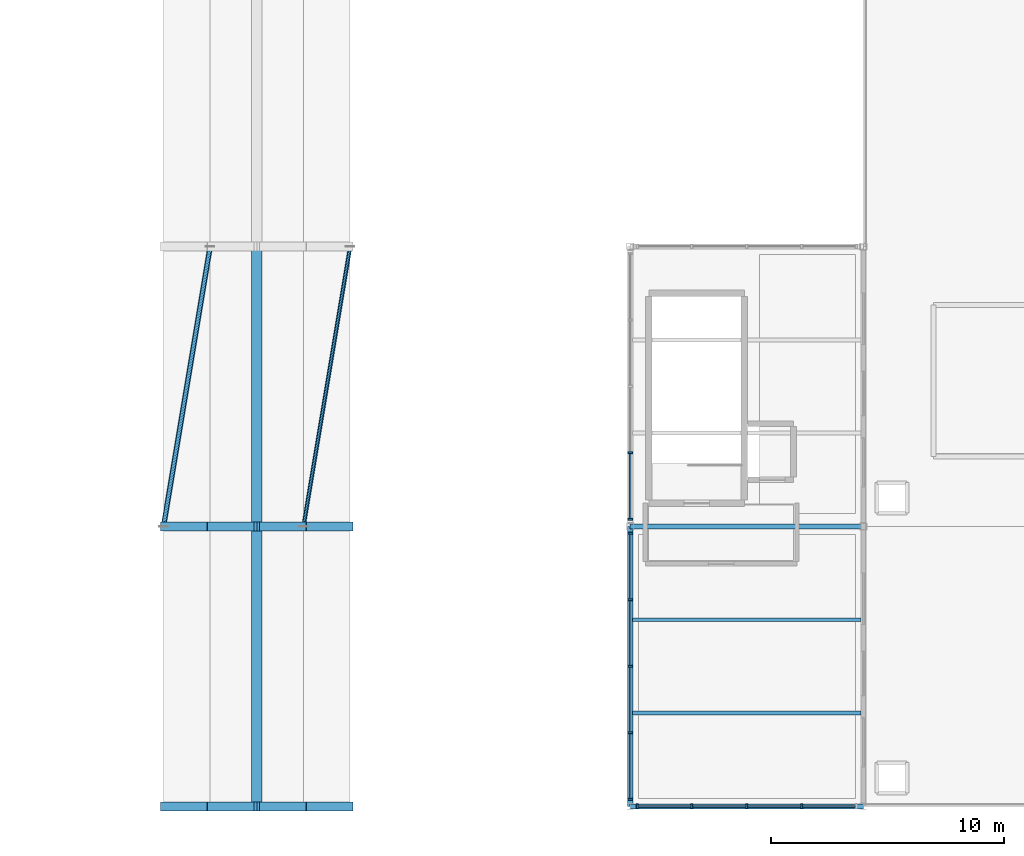
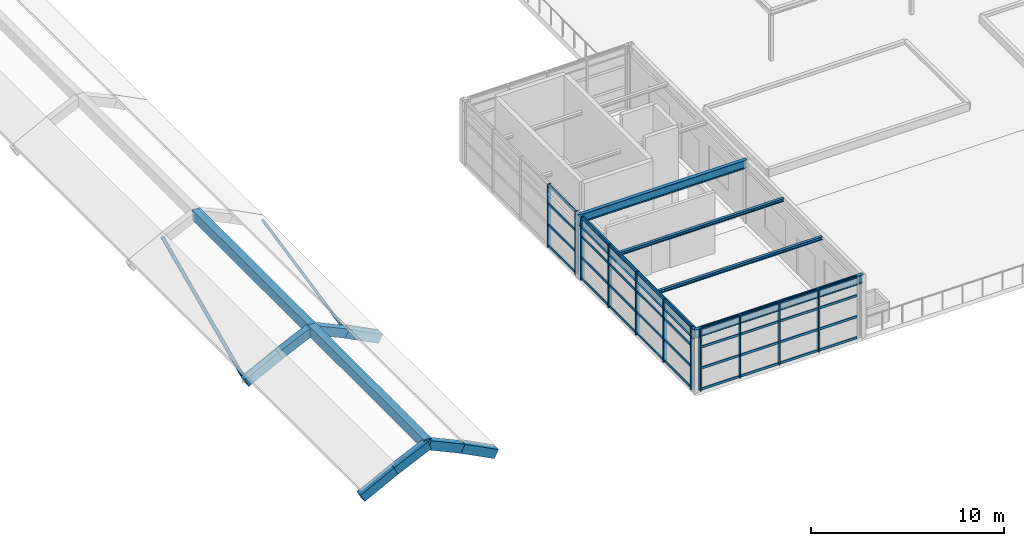
# One storey, part 14 of 49: 49 members, 15 beams, 3 elements without a shape of their own.
"""IFC4 building model written with IfcOpenShell, lengths in metres."""

from ifc_helpers import new_model, si_unit, direction, frame, origin, origin_2d, place, context, subcontext, project, spatial, rectangle, hollow_circle, i_section, extrude, material, layer, layer_set, material_profile, profile_set, type_object, element, aggregate, save


model = new_model("IFC4")

# Units and contexts
model_context = context("Model", 3, precision=1e-05, world=origin(), true_north=direction((0.0, 1.0)))
body_context = subcontext(model_context, "Body", "Model", "MODEL_VIEW")
ifc_project = project(units=[si_unit("LENGTHUNIT", "METRE"), si_unit("AREAUNIT", "SQUARE_METRE"), si_unit("VOLUMEUNIT", "CUBIC_METRE"), si_unit("PLANEANGLEUNIT", "RADIAN"), si_unit("MASSUNIT", "GRAM", prefix="KILO")], contexts=[model_context])

# Site, building, storey
site_placement = place(None, origin())
site = spatial("IfcSite", under=ifc_project, at=site_placement, CompositionType="ELEMENT")
building_placement = place(site_placement, origin())
building = spatial("IfcBuilding", under=site, at=building_placement, Name="Sitalva Quay Ferry Terminal", CompositionType="ELEMENT")
storey_placement = place(building_placement, frame((0.0, 0.0, 10.199951171875)))
storey = spatial("IfcBuildingStorey", under=building, at=storey_placement, Name="L03", CompositionType="ELEMENT", Elevation=10.199951171875)

# Beams
ifc_material_1 = material(Name="Concrete C40/50", Category="concrete")
ifc_material_profile_1 = material_profile(ifc_material_1, rectangle(XDim=0.39990234375, YDim=0.550048828125, at=origin_2d()), Name="RC400x550")
ifc_profile_set_1 = profile_set([ifc_material_profile_1], Name="Concrete C40/50")
beam_type_1 = type_object("IfcBeamType", Name="Beam_Arch_RC400x550", PredefinedType="BEAM", material=ifc_profile_set_1)
beam_1_placement = place(storey_placement, frame((54.0, 6.0, 0.395263671875), z_axis=(0.88942149916, 0.0, 0.457087953059), x_axis=(0.0, 1.0, 0.0)))
element("IfcBeam", 1, at=beam_1_placement, inside=storey, type_object=beam_type_1, Name="Vault V1 transverse arch rib 1.7", PredefinedType="BEAM", context=body_context, shape_type="SweptSolid", body=[
    extrude(rectangle(XDim=0.39990234375, YDim=0.550048828125, at=origin_2d()), origin(), (0.0, 0.0, 1.0), 2.24853515625),
])
for number, where, z_axis, x_axis, name in (
    (2, (56.0, 6.0, 1.4267578125), (0.908124785196, 0.0, 0.418699623253), (0.0, 1.0, 0.0), "Vault V1 transverse arch rib 1.8"),
    (3, (58.0, 6.0, 2.348876953125), (0.908124785196, 0.0, -0.418699623253), (0.0, 1.0, 0.0), "Vault V1 transverse arch rib 1.9"),
):
    element("IfcBeam", number, at=place(storey_placement, frame(where, z_axis=z_axis, x_axis=x_axis)), inside=storey, type_object=beam_type_1, Name=name, PredefinedType="BEAM", context=body_context, shape_type="SweptSolid", body=[
        extrude(rectangle(XDim=0.39990234375, YDim=0.550048828125, at=origin_2d()), origin(), (0.0, 0.0, 1.0), 2.202392578125),
    ])
for number, where, z_axis, x_axis, name in (
    (4, (60.0, 6.0, 1.423095703125), (0.88942149916, 0.0, -0.457087953059), (0.0, 1.0, 0.0), "Vault V1 transverse arch rib 1.10"),
    (5, (54.0, 18.0, 0.395263671875), (0.88942149916, 0.0, 0.457087953059), (0.0, 1.0, 0.0), "Vault V1 transverse arch rib 2.7"),
):
    element("IfcBeam", number, at=place(storey_placement, frame(where, z_axis=z_axis, x_axis=x_axis)), inside=storey, type_object=beam_type_1, Name=name, PredefinedType="BEAM", context=body_context, shape_type="SweptSolid", body=[
        extrude(rectangle(XDim=0.39990234375, YDim=0.550048828125, at=origin_2d()), origin(), (0.0, 0.0, 1.0), 2.24853515625),
    ])
for number, where, z_axis, x_axis, name in (
    (6, (56.0, 18.0, 1.4267578125), (0.908124785196, 0.0, 0.418699623253), (0.0, 1.0, 0.0), "Vault V1 transverse arch rib 2.8"),
    (7, (58.0, 18.0, 2.348876953125), (0.908124785196, 0.0, -0.418699623253), (0.0, 1.0, 0.0), "Vault V1 transverse arch rib 2.9"),
):
    element("IfcBeam", number, at=place(storey_placement, frame(where, z_axis=z_axis, x_axis=x_axis)), inside=storey, type_object=beam_type_1, Name=name, PredefinedType="BEAM", context=body_context, shape_type="SweptSolid", body=[
        extrude(rectangle(XDim=0.39990234375, YDim=0.550048828125, at=origin_2d()), origin(), (0.0, 0.0, 1.0), 2.202392578125),
    ])
beam_2_placement = place(storey_placement, frame((60.0, 18.0, 1.423095703125), z_axis=(0.88942149916, 0.0, -0.457087953059), x_axis=(0.0, 1.0, 0.0)))
element("IfcBeam", 8, at=beam_2_placement, inside=storey, type_object=beam_type_1, Name="Vault V1 transverse arch rib 2.10", PredefinedType="BEAM", context=body_context, shape_type="SweptSolid", body=[
    extrude(rectangle(XDim=0.39990234375, YDim=0.550048828125, at=origin_2d()), origin(), (0.0, 0.0, 1.0), 2.24853515625),
])
ifc_material_2 = material(Name="Concrete C40/50", Category="concrete")
ifc_material_profile_2 = material_profile(ifc_material_2, rectangle(XDim=0.449951171875, YDim=0.64990234375, at=origin_2d()), Name="RC450x650")
ifc_profile_set_2 = profile_set([ifc_material_profile_2], Name="Concrete C40/50")
beam_type_2 = type_object("IfcBeamType", Name="Beam_Ridge_RC450x650", PredefinedType="BEAM", material=ifc_profile_set_2)
for number, where, z_axis, x_axis, name in (
    (9, (58.0, 6.0, 2.31494140625), (0.0, 1.0, 0.0), (-1.0, 0.0, 0.0), "Vault V1 pointed ridge beam bay 1"),
    (10, (58.0, 18.0, 2.31494140625), (0.0, 1.0, 0.0), (-1.0, 0.0, 0.0), "Vault V1 pointed ridge beam bay 2"),
):
    element("IfcBeam", number, at=place(storey_placement, frame(where, z_axis=z_axis, x_axis=x_axis)), inside=storey, type_object=beam_type_2, Name=name, PredefinedType="BEAM", context=body_context, shape_type="SweptSolid", body=[
        extrude(rectangle(XDim=0.449951171875, YDim=0.64990234375, at=origin_2d()), origin(), (0.0, 0.0, 1.0), 12.0),
    ])

# Members
ifc_material_3 = material(Name="Structural Steel S355JR", Category="steel")
ifc_material_profile_3 = material_profile(ifc_material_3, hollow_circle(Radius=0.084228515625, WallThickness=0.008056640625, at=origin_2d()), Name="CHS168x8")
ifc_profile_set_3 = profile_set([ifc_material_profile_3], Name="Structural Steel S355JR")
member_type_1 = type_object("IfcMemberType", Name="Brace_CHS168x8", PredefinedType="BRACE", material=ifc_profile_set_3)
member_1_placement = place(storey_placement, frame((60.0, 18.0, 1.528076171875), z_axis=(0.16381508598, 0.982890515882, -0.084207193245), x_axis=(-0.986393923832, 0.164398987305, 0.0)))
element("IfcMember", 11, at=member_1_placement, inside=storey, type_object=member_type_1, Name="Vault V1 shell wind brace B2.9", PredefinedType="BRACE", context=body_context, shape_type="SweptSolid", body=[
    extrude(hollow_circle(Radius=0.084228515625, WallThickness=0.008056640625, at=origin_2d()), origin(), (0.0, 0.0, 1.0), 12.208984375),
])
ifc_material_4 = material(Name="Structural Steel S355JR", Category="steel")
ifc_material_profile_4 = material_profile(ifc_material_4, hollow_circle(Radius=0.109619140625, WallThickness=0.010009765625, at=origin_2d()), Name="CHS219x10")
ifc_profile_set_4 = profile_set([ifc_material_profile_4], Name="Structural Steel S355JR")
member_type_2 = type_object("IfcMemberType", Name="Brace_CHS219x10", PredefinedType="BRACE", material=ifc_profile_set_4)
member_2_placement = place(storey_placement, frame((54.0, 18.0, 0.5), z_axis=(0.16381508598, 0.982890515882, 0.084207193245), x_axis=(-0.986393923832, 0.164398987305, 0.0)))
element("IfcMember", 12, at=member_2_placement, inside=storey, type_object=member_type_2, Name="Vault V1 shell wind brace B2.6", PredefinedType="BRACE", context=body_context, shape_type="SweptSolid", body=[
    extrude(hollow_circle(Radius=0.109619140625, WallThickness=0.010009765625, at=origin_2d()), origin(), (0.0, 0.0, 1.0), 12.208984375),
])

# Beams
ifc_material_5 = material(Name="Structural Steel S355JR", Category="steel")
ifc_material_profile_5 = material_profile(ifc_material_5, i_section(OverallWidth=0.208984375, OverallDepth=0.532958984375, WebThickness=0.01025390625, FlangeThickness=0.015625, FilletRadius=0.014892578125, at=origin_2d()), Name="W530x92")
ifc_profile_set_5 = profile_set([ifc_material_profile_5], Name="Structural Steel S355JR")
beam_type_3 = type_object("IfcBeamType", Name="Girder_W530x92", PredefinedType="USERDEFINED", material=ifc_profile_set_5)
for number, where, z_axis, x_axis, name in (
    (13, (74.0, 6.0, 3.713623046875), (1.0, 0.0, 0.0), (0.0, 1.0, 0.0), "L03 Primary X girder 1185"),
    (14, (74.0, 18.0, 3.713623046875), (1.0, 0.0, 0.0), (0.0, 1.0, 0.0), "L03 Primary X girder 1186"),
):
    element("IfcBeam", number, at=place(storey_placement, frame(where, z_axis=z_axis, x_axis=x_axis)), inside=storey, type_object=beam_type_3, Name=name, ObjectType="GIRDER", PredefinedType="USERDEFINED", context=body_context, shape_type="SweptSolid", body=[
        extrude(i_section(OverallWidth=0.208984375, OverallDepth=0.532958984375, WebThickness=0.01025390625, FlangeThickness=0.015625, FilletRadius=0.014892578125, at=origin_2d()), origin(), (0.0, 0.0, 1.0), 10.0),
    ])
ifc_material_6 = material(Name="Structural Steel S355JR", Category="steel")
ifc_material_profile_6 = material_profile(ifc_material_6, i_section(OverallWidth=0.22802734375, OverallDepth=0.60791015625, WebThickness=0.01123046875, FlangeThickness=0.017333984375, FilletRadius=0.01611328125, at=origin_2d()), Name="W610x113")
ifc_profile_set_6 = profile_set([ifc_material_profile_6], Name="Structural Steel S355JR")
beam_type_4 = type_object("IfcBeamType", Name="Girder_W610x113", PredefinedType="USERDEFINED", material=ifc_profile_set_6)
beam_3_placement = place(storey_placement, frame((74.0, 6.0, 3.676025390625), z_axis=(0.0, 1.0, 0.0), x_axis=(-1.0, 0.0, 0.0)))
element("IfcBeam", 15, at=beam_3_placement, inside=storey, type_object=beam_type_4, Name="L03 Primary Y girder 1188", ObjectType="GIRDER", PredefinedType="USERDEFINED", context=body_context, shape_type="SweptSolid", body=[
    extrude(i_section(OverallWidth=0.22802734375, OverallDepth=0.60791015625, WebThickness=0.01123046875, FlangeThickness=0.017333984375, FilletRadius=0.01611328125, at=origin_2d()), origin(), (0.0, 0.0, 1.0), 12.0),
])
ifc_material_7 = material(Name="Structural Steel S355JR", Category="steel")
ifc_material_profile_7 = material_profile(ifc_material_7, i_section(OverallWidth=0.1650390625, OverallDepth=0.200927734375, WebThickness=0.006103515625, FlangeThickness=0.01025390625, FilletRadius=0.010009765625, at=origin_2d()), Name="W200x36")
ifc_profile_set_7 = profile_set([ifc_material_profile_7], Name="Structural Steel S355JR")
beam_type_5 = type_object("IfcBeamType", Name="Joist_W200x36", PredefinedType="JOIST", material=ifc_profile_set_7)
for number, where, z_axis, x_axis, name in (
    (16, (74.10009765625, 10.0, 3.879638671875), (1.0, 0.0, 0.0), (0.0, 1.0, 0.0), "L03 Secondary joist 1192"),
    (17, (74.10009765625, 14.0, 3.879638671875), (1.0, 0.0, 0.0), (0.0, 1.0, 0.0), "L03 Secondary joist 1193"),
):
    element("IfcBeam", number, at=place(storey_placement, frame(where, z_axis=z_axis, x_axis=x_axis)), inside=storey, type_object=beam_type_5, Name=name, PredefinedType="JOIST", context=body_context, shape_type="SweptSolid", body=[
        extrude(i_section(OverallWidth=0.1650390625, OverallDepth=0.200927734375, WebThickness=0.006103515625, FlangeThickness=0.01025390625, FilletRadius=0.010009765625, at=origin_2d()), origin(), (0.0, 0.0, 1.0), 9.7998046875),
    ])

# Curtain wall, members
ifc_material_8 = material(Name="Anodised Aluminium & Low-E Glazing", Category="aluminium")
ifc_layer = layer(ifc_material_8, 0.159912109375)
ifc_layer_set = layer_set([ifc_layer], Name="Anodised Aluminium & Low-E Glazing")
curtain_wall_type = type_object("IfcCurtainWallType", Name="CW_Concourse_Unitised", PredefinedType="USERDEFINED", material=ifc_layer_set)
curtain_wall_1_placement = place(storey_placement, origin())
curtain_wall_1 = element("IfcCurtainWall", 18, at=curtain_wall_1_placement, inside=storey, type_object=curtain_wall_type, Name="L03 promenade pavilion south glazing (CW-L03-086)", ObjectType="CURTAIN_WALL", PredefinedType="USERDEFINED")
ifc_material_9 = material(Name="Anodised Aluminium 6063-T6", Category="aluminium")
ifc_material_profile_8 = material_profile(ifc_material_9, rectangle(XDim=0.0849609375, YDim=0.2099609375, at=origin_2d()), Name="ALU85x210")
ifc_profile_set_8 = profile_set([ifc_material_profile_8], Name="Anodised Aluminium 6063-T6")
member_type_3 = type_object("IfcMemberType", Name="Mullion_Alu_85x210", PredefinedType="MULLION", material=ifc_profile_set_8)
member_3_placement = place(storey_placement, frame((74.300048828125, 6.0, 0.0), z_axis=(0.0, 0.0, 1.0), x_axis=(1.0, 0.0, 0.0)))
member_3 = element("IfcMember", 19, at=member_3_placement, type_object=member_type_3, Name="CW-L03-086-M0", PredefinedType="MULLION", context=body_context, shape_type="SweptSolid", body=[
    extrude(rectangle(XDim=0.0849609375, YDim=0.2099609375, at=origin_2d()), origin(), (0.0, 0.0, 1.0), 3.97998046875),
])
member_4_placement = place(storey_placement, frame((76.64990234375, 6.0, 0.0), z_axis=(0.0, 0.0, 1.0), x_axis=(1.0, 0.0, 0.0)))
member_4 = element("IfcMember", 20, at=member_4_placement, type_object=member_type_3, Name="CW-L03-086-M1", PredefinedType="MULLION", context=body_context, shape_type="SweptSolid", body=[
    extrude(rectangle(XDim=0.0849609375, YDim=0.2099609375, at=origin_2d()), origin(), (0.0, 0.0, 1.0), 3.97998046875),
])
member_5_placement = place(storey_placement, frame((79.0, 6.0, 0.0), z_axis=(0.0, 0.0, 1.0), x_axis=(1.0, 0.0, 0.0)))
member_5 = element("IfcMember", 21, at=member_5_placement, type_object=member_type_3, Name="CW-L03-086-M2", PredefinedType="MULLION", context=body_context, shape_type="SweptSolid", body=[
    extrude(rectangle(XDim=0.0849609375, YDim=0.2099609375, at=origin_2d()), origin(), (0.0, 0.0, 1.0), 3.97998046875),
])
member_6_placement = place(storey_placement, frame((81.35009765625, 6.0, 0.0), z_axis=(0.0, 0.0, 1.0), x_axis=(1.0, 0.0, 0.0)))
member_6 = element("IfcMember", 22, at=member_6_placement, type_object=member_type_3, Name="CW-L03-086-M3", PredefinedType="MULLION", context=body_context, shape_type="SweptSolid", body=[
    extrude(rectangle(XDim=0.0849609375, YDim=0.2099609375, at=origin_2d()), origin(), (0.0, 0.0, 1.0), 3.97998046875),
])

curtain_wall_2_placement = place(storey_placement, origin())
curtain_wall_2 = element("IfcCurtainWall", 23, at=curtain_wall_2_placement, inside=storey, type_object=curtain_wall_type, Name="L03 promenade pavilion west glazing (CW-L03-088)", ObjectType="CURTAIN_WALL", PredefinedType="USERDEFINED")
member_7_placement = place(storey_placement, frame((74.0, 6.300048828125, 0.0), z_axis=(0.0, 0.0, 1.0), x_axis=(0.0, 1.0, 0.0)))
member_7 = element("IfcMember", 24, at=member_7_placement, type_object=member_type_3, Name="CW-L03-088-M0", PredefinedType="MULLION", context=body_context, shape_type="SweptSolid", body=[
    extrude(rectangle(XDim=0.0849609375, YDim=0.2099609375, at=origin_2d()), origin(), (0.0, 0.0, 1.0), 3.97998046875),
])
member_8_placement = place(storey_placement, frame((74.0, 9.14990234375, 0.0), z_axis=(0.0, 0.0, 1.0), x_axis=(0.0, 1.0, 0.0)))
member_8 = element("IfcMember", 25, at=member_8_placement, type_object=member_type_3, Name="CW-L03-088-M1", PredefinedType="MULLION", context=body_context, shape_type="SweptSolid", body=[
    extrude(rectangle(XDim=0.0849609375, YDim=0.2099609375, at=origin_2d()), origin(), (0.0, 0.0, 1.0), 3.97998046875),
])
member_9_placement = place(storey_placement, frame((74.0, 12.0, 0.0), z_axis=(0.0, 0.0, 1.0), x_axis=(0.0, 1.0, 0.0)))
member_9 = element("IfcMember", 26, at=member_9_placement, type_object=member_type_3, Name="CW-L03-088-M2", PredefinedType="MULLION", context=body_context, shape_type="SweptSolid", body=[
    extrude(rectangle(XDim=0.0849609375, YDim=0.2099609375, at=origin_2d()), origin(), (0.0, 0.0, 1.0), 3.97998046875),
])
member_10_placement = place(storey_placement, frame((74.0, 14.85009765625, 0.0), z_axis=(0.0, 0.0, 1.0), x_axis=(0.0, 1.0, 0.0)))
member_10 = element("IfcMember", 27, at=member_10_placement, type_object=member_type_3, Name="CW-L03-088-M3", PredefinedType="MULLION", context=body_context, shape_type="SweptSolid", body=[
    extrude(rectangle(XDim=0.0849609375, YDim=0.2099609375, at=origin_2d()), origin(), (0.0, 0.0, 1.0), 3.97998046875),
])
member_11_placement = place(storey_placement, frame((74.0, 17.699951171875, 0.0), z_axis=(0.0, 0.0, 1.0), x_axis=(0.0, 1.0, 0.0)))
member_11 = element("IfcMember", 28, at=member_11_placement, type_object=member_type_3, Name="CW-L03-088-M4", PredefinedType="MULLION", context=body_context, shape_type="SweptSolid", body=[
    extrude(rectangle(XDim=0.0849609375, YDim=0.2099609375, at=origin_2d()), origin(), (0.0, 0.0, 1.0), 3.97998046875),
])

curtain_wall_3_placement = place(storey_placement, origin())
curtain_wall_3 = element("IfcCurtainWall", 29, at=curtain_wall_3_placement, inside=storey, type_object=curtain_wall_type, Name="L03 promenade pavilion west glazing (CW-L03-089)", ObjectType="CURTAIN_WALL", PredefinedType="USERDEFINED")
member_12_placement = place(storey_placement, frame((74.0, 18.300048828125, 0.0), z_axis=(0.0, 0.0, 1.0), x_axis=(0.0, 1.0, 0.0)))
member_12 = element("IfcMember", 30, at=member_12_placement, type_object=member_type_3, Name="CW-L03-089-M0", PredefinedType="MULLION", context=body_context, shape_type="SweptSolid", body=[
    extrude(rectangle(XDim=0.0849609375, YDim=0.2099609375, at=origin_2d()), origin(), (0.0, 0.0, 1.0), 3.97998046875),
])
member_13_placement = place(storey_placement, frame((74.0, 21.14990234375, 0.0), z_axis=(0.0, 0.0, 1.0), x_axis=(0.0, 1.0, 0.0)))
member_13 = element("IfcMember", 31, at=member_13_placement, type_object=member_type_3, Name="CW-L03-089-M1", PredefinedType="MULLION", context=body_context, shape_type="SweptSolid", body=[
    extrude(rectangle(XDim=0.0849609375, YDim=0.2099609375, at=origin_2d()), origin(), (0.0, 0.0, 1.0), 3.97998046875),
])

# Member
ifc_material_10 = material(Name="Anodised Aluminium 6063-T6", Category="aluminium")
ifc_material_profile_9 = material_profile(ifc_material_10, rectangle(XDim=0.074951171875, YDim=0.14990234375, at=origin_2d()), Name="ALU75x150")
ifc_profile_set_9 = profile_set([ifc_material_profile_9], Name="Anodised Aluminium 6063-T6")
member_type_4 = type_object("IfcMemberType", Name="Transom_Alu_75x140", PredefinedType="MULLION", material=ifc_profile_set_9)
member_14_placement = place(storey_placement, frame((74.342529296875, 6.0, 0.074951171875), z_axis=(1.0, 0.0, 0.0), x_axis=(0.0, 1.0, 0.0)))
member_14 = element("IfcMember", 32, at=member_14_placement, type_object=member_type_4, Name="CW-L03-086-T0-0", ObjectType="TRANSOM", PredefinedType="USERDEFINED", context=body_context, shape_type="SweptSolid", body=[
    extrude(rectangle(XDim=0.074951171875, YDim=0.14990234375, at=origin_2d()), origin(), (0.0, 0.0, 1.0), 2.264892578125),
])

member_15_placement = place(storey_placement, frame((74.342529296875, 6.0, 1.401611328125), z_axis=(1.0, 0.0, 0.0), x_axis=(0.0, 1.0, 0.0)))
member_15 = element("IfcMember", 33, at=member_15_placement, type_object=member_type_4, Name="CW-L03-086-T0-1", ObjectType="TRANSOM", PredefinedType="USERDEFINED", context=body_context, shape_type="SweptSolid", body=[
    extrude(rectangle(XDim=0.074951171875, YDim=0.14990234375, at=origin_2d()), origin(), (0.0, 0.0, 1.0), 2.264892578125),
])

member_16_placement = place(storey_placement, frame((74.342529296875, 6.0, 2.728271484375), z_axis=(1.0, 0.0, 0.0), x_axis=(0.0, 1.0, 0.0)))
member_16 = element("IfcMember", 34, at=member_16_placement, type_object=member_type_4, Name="CW-L03-086-T0-2", ObjectType="TRANSOM", PredefinedType="USERDEFINED", context=body_context, shape_type="SweptSolid", body=[
    extrude(rectangle(XDim=0.074951171875, YDim=0.14990234375, at=origin_2d()), origin(), (0.0, 0.0, 1.0), 2.264892578125),
])

member_17_placement = place(storey_placement, frame((74.342529296875, 6.0, 3.905029296875), z_axis=(1.0, 0.0, 0.0), x_axis=(0.0, 1.0, 0.0)))
member_17 = element("IfcMember", 35, at=member_17_placement, type_object=member_type_4, Name="CW-L03-086-T0-3", ObjectType="TRANSOM", PredefinedType="USERDEFINED", context=body_context, shape_type="SweptSolid", body=[
    extrude(rectangle(XDim=0.074951171875, YDim=0.14990234375, at=origin_2d()), origin(), (0.0, 0.0, 1.0), 2.264892578125),
])

member_18_placement = place(storey_placement, frame((76.6923828125, 6.0, 0.074951171875), z_axis=(1.0, 0.0, 0.0), x_axis=(0.0, 1.0, 0.0)))
member_18 = element("IfcMember", 36, at=member_18_placement, type_object=member_type_4, Name="CW-L03-086-T1-0", ObjectType="TRANSOM", PredefinedType="USERDEFINED", context=body_context, shape_type="SweptSolid", body=[
    extrude(rectangle(XDim=0.074951171875, YDim=0.14990234375, at=origin_2d()), origin(), (0.0, 0.0, 1.0), 2.26513671875),
])

member_19_placement = place(storey_placement, frame((76.6923828125, 6.0, 1.401611328125), z_axis=(1.0, 0.0, 0.0), x_axis=(0.0, 1.0, 0.0)))
member_19 = element("IfcMember", 37, at=member_19_placement, type_object=member_type_4, Name="CW-L03-086-T1-1", ObjectType="TRANSOM", PredefinedType="USERDEFINED", context=body_context, shape_type="SweptSolid", body=[
    extrude(rectangle(XDim=0.074951171875, YDim=0.14990234375, at=origin_2d()), origin(), (0.0, 0.0, 1.0), 2.26513671875),
])

member_20_placement = place(storey_placement, frame((76.6923828125, 6.0, 2.728271484375), z_axis=(1.0, 0.0, 0.0), x_axis=(0.0, 1.0, 0.0)))
member_20 = element("IfcMember", 38, at=member_20_placement, type_object=member_type_4, Name="CW-L03-086-T1-2", ObjectType="TRANSOM", PredefinedType="USERDEFINED", context=body_context, shape_type="SweptSolid", body=[
    extrude(rectangle(XDim=0.074951171875, YDim=0.14990234375, at=origin_2d()), origin(), (0.0, 0.0, 1.0), 2.26513671875),
])

member_21_placement = place(storey_placement, frame((76.6923828125, 6.0, 3.905029296875), z_axis=(1.0, 0.0, 0.0), x_axis=(0.0, 1.0, 0.0)))
member_21 = element("IfcMember", 39, at=member_21_placement, type_object=member_type_4, Name="CW-L03-086-T1-3", ObjectType="TRANSOM", PredefinedType="USERDEFINED", context=body_context, shape_type="SweptSolid", body=[
    extrude(rectangle(XDim=0.074951171875, YDim=0.14990234375, at=origin_2d()), origin(), (0.0, 0.0, 1.0), 2.26513671875),
])

member_22_placement = place(storey_placement, frame((79.04248046875, 6.0, 0.074951171875), z_axis=(1.0, 0.0, 0.0), x_axis=(0.0, 1.0, 0.0)))
member_22 = element("IfcMember", 40, at=member_22_placement, type_object=member_type_4, Name="CW-L03-086-T2-0", ObjectType="TRANSOM", PredefinedType="USERDEFINED", context=body_context, shape_type="SweptSolid", body=[
    extrude(rectangle(XDim=0.074951171875, YDim=0.14990234375, at=origin_2d()), origin(), (0.0, 0.0, 1.0), 2.26513671875),
])

member_23_placement = place(storey_placement, frame((79.04248046875, 6.0, 1.401611328125), z_axis=(1.0, 0.0, 0.0), x_axis=(0.0, 1.0, 0.0)))
member_23 = element("IfcMember", 41, at=member_23_placement, type_object=member_type_4, Name="CW-L03-086-T2-1", ObjectType="TRANSOM", PredefinedType="USERDEFINED", context=body_context, shape_type="SweptSolid", body=[
    extrude(rectangle(XDim=0.074951171875, YDim=0.14990234375, at=origin_2d()), origin(), (0.0, 0.0, 1.0), 2.26513671875),
])

member_24_placement = place(storey_placement, frame((79.04248046875, 6.0, 2.728271484375), z_axis=(1.0, 0.0, 0.0), x_axis=(0.0, 1.0, 0.0)))
member_24 = element("IfcMember", 42, at=member_24_placement, type_object=member_type_4, Name="CW-L03-086-T2-2", ObjectType="TRANSOM", PredefinedType="USERDEFINED", context=body_context, shape_type="SweptSolid", body=[
    extrude(rectangle(XDim=0.074951171875, YDim=0.14990234375, at=origin_2d()), origin(), (0.0, 0.0, 1.0), 2.26513671875),
])

member_25_placement = place(storey_placement, frame((79.04248046875, 6.0, 3.905029296875), z_axis=(1.0, 0.0, 0.0), x_axis=(0.0, 1.0, 0.0)))
member_25 = element("IfcMember", 43, at=member_25_placement, type_object=member_type_4, Name="CW-L03-086-T2-3", ObjectType="TRANSOM", PredefinedType="USERDEFINED", context=body_context, shape_type="SweptSolid", body=[
    extrude(rectangle(XDim=0.074951171875, YDim=0.14990234375, at=origin_2d()), origin(), (0.0, 0.0, 1.0), 2.26513671875),
])

member_26_placement = place(storey_placement, frame((81.392578125, 6.0, 0.074951171875), z_axis=(1.0, 0.0, 0.0), x_axis=(0.0, 1.0, 0.0)))
member_26 = element("IfcMember", 44, at=member_26_placement, type_object=member_type_4, Name="CW-L03-086-T3-0", ObjectType="TRANSOM", PredefinedType="USERDEFINED", context=body_context, shape_type="SweptSolid", body=[
    extrude(rectangle(XDim=0.074951171875, YDim=0.14990234375, at=origin_2d()), origin(), (0.0, 0.0, 1.0), 2.264892578125),
])

member_27_placement = place(storey_placement, frame((81.392578125, 6.0, 1.401611328125), z_axis=(1.0, 0.0, 0.0), x_axis=(0.0, 1.0, 0.0)))
member_27 = element("IfcMember", 45, at=member_27_placement, type_object=member_type_4, Name="CW-L03-086-T3-1", ObjectType="TRANSOM", PredefinedType="USERDEFINED", context=body_context, shape_type="SweptSolid", body=[
    extrude(rectangle(XDim=0.074951171875, YDim=0.14990234375, at=origin_2d()), origin(), (0.0, 0.0, 1.0), 2.264892578125),
])

member_28_placement = place(storey_placement, frame((81.392578125, 6.0, 2.728271484375), z_axis=(1.0, 0.0, 0.0), x_axis=(0.0, 1.0, 0.0)))
member_28 = element("IfcMember", 46, at=member_28_placement, type_object=member_type_4, Name="CW-L03-086-T3-2", ObjectType="TRANSOM", PredefinedType="USERDEFINED", context=body_context, shape_type="SweptSolid", body=[
    extrude(rectangle(XDim=0.074951171875, YDim=0.14990234375, at=origin_2d()), origin(), (0.0, 0.0, 1.0), 2.264892578125),
])

member_29_placement = place(storey_placement, frame((81.392578125, 6.0, 3.905029296875), z_axis=(1.0, 0.0, 0.0), x_axis=(0.0, 1.0, 0.0)))
member_29 = element("IfcMember", 47, at=member_29_placement, type_object=member_type_4, Name="CW-L03-086-T3-3", ObjectType="TRANSOM", PredefinedType="USERDEFINED", context=body_context, shape_type="SweptSolid", body=[
    extrude(rectangle(XDim=0.074951171875, YDim=0.14990234375, at=origin_2d()), origin(), (0.0, 0.0, 1.0), 2.264892578125),
])

aggregate(curtain_wall_1, [member_3, member_4, member_5, member_6, member_14, member_15, member_16, member_17, member_18, member_19, member_20, member_21, member_22, member_23, member_24, member_25, member_26, member_27, member_28, member_29])

member_30_placement = place(storey_placement, frame((74.0, 6.342529296875, 0.074951171875), z_axis=(0.0, 1.0, 0.0), x_axis=(-1.0, 0.0, 0.0)))
member_30 = element("IfcMember", 48, at=member_30_placement, type_object=member_type_4, Name="CW-L03-088-T0-0", ObjectType="TRANSOM", PredefinedType="USERDEFINED", context=body_context, shape_type="SweptSolid", body=[
    extrude(rectangle(XDim=0.074951171875, YDim=0.14990234375, at=origin_2d()), origin(), (0.0, 0.0, 1.0), 2.764892578125),
])

member_31_placement = place(storey_placement, frame((74.0, 6.342529296875, 1.401611328125), z_axis=(0.0, 1.0, 0.0), x_axis=(-1.0, 0.0, 0.0)))
member_31 = element("IfcMember", 49, at=member_31_placement, type_object=member_type_4, Name="CW-L03-088-T0-1", ObjectType="TRANSOM", PredefinedType="USERDEFINED", context=body_context, shape_type="SweptSolid", body=[
    extrude(rectangle(XDim=0.074951171875, YDim=0.14990234375, at=origin_2d()), origin(), (0.0, 0.0, 1.0), 2.764892578125),
])

member_32_placement = place(storey_placement, frame((74.0, 6.342529296875, 2.728271484375), z_axis=(0.0, 1.0, 0.0), x_axis=(-1.0, 0.0, 0.0)))
member_32 = element("IfcMember", 50, at=member_32_placement, type_object=member_type_4, Name="CW-L03-088-T0-2", ObjectType="TRANSOM", PredefinedType="USERDEFINED", context=body_context, shape_type="SweptSolid", body=[
    extrude(rectangle(XDim=0.074951171875, YDim=0.14990234375, at=origin_2d()), origin(), (0.0, 0.0, 1.0), 2.764892578125),
])

member_33_placement = place(storey_placement, frame((74.0, 6.342529296875, 3.905029296875), z_axis=(0.0, 1.0, 0.0), x_axis=(-1.0, 0.0, 0.0)))
member_33 = element("IfcMember", 51, at=member_33_placement, type_object=member_type_4, Name="CW-L03-088-T0-3", ObjectType="TRANSOM", PredefinedType="USERDEFINED", context=body_context, shape_type="SweptSolid", body=[
    extrude(rectangle(XDim=0.074951171875, YDim=0.14990234375, at=origin_2d()), origin(), (0.0, 0.0, 1.0), 2.764892578125),
])

member_34_placement = place(storey_placement, frame((74.0, 9.1923828125, 0.074951171875), z_axis=(0.0, 1.0, 0.0), x_axis=(-1.0, 0.0, 0.0)))
member_34 = element("IfcMember", 52, at=member_34_placement, type_object=member_type_4, Name="CW-L03-088-T1-0", ObjectType="TRANSOM", PredefinedType="USERDEFINED", context=body_context, shape_type="SweptSolid", body=[
    extrude(rectangle(XDim=0.074951171875, YDim=0.14990234375, at=origin_2d()), origin(), (0.0, 0.0, 1.0), 2.76513671875),
])

member_35_placement = place(storey_placement, frame((74.0, 9.1923828125, 1.401611328125), z_axis=(0.0, 1.0, 0.0), x_axis=(-1.0, 0.0, 0.0)))
member_35 = element("IfcMember", 53, at=member_35_placement, type_object=member_type_4, Name="CW-L03-088-T1-1", ObjectType="TRANSOM", PredefinedType="USERDEFINED", context=body_context, shape_type="SweptSolid", body=[
    extrude(rectangle(XDim=0.074951171875, YDim=0.14990234375, at=origin_2d()), origin(), (0.0, 0.0, 1.0), 2.76513671875),
])

member_36_placement = place(storey_placement, frame((74.0, 9.1923828125, 2.728271484375), z_axis=(0.0, 1.0, 0.0), x_axis=(-1.0, 0.0, 0.0)))
member_36 = element("IfcMember", 54, at=member_36_placement, type_object=member_type_4, Name="CW-L03-088-T1-2", ObjectType="TRANSOM", PredefinedType="USERDEFINED", context=body_context, shape_type="SweptSolid", body=[
    extrude(rectangle(XDim=0.074951171875, YDim=0.14990234375, at=origin_2d()), origin(), (0.0, 0.0, 1.0), 2.76513671875),
])

member_37_placement = place(storey_placement, frame((74.0, 9.1923828125, 3.905029296875), z_axis=(0.0, 1.0, 0.0), x_axis=(-1.0, 0.0, 0.0)))
member_37 = element("IfcMember", 55, at=member_37_placement, type_object=member_type_4, Name="CW-L03-088-T1-3", ObjectType="TRANSOM", PredefinedType="USERDEFINED", context=body_context, shape_type="SweptSolid", body=[
    extrude(rectangle(XDim=0.074951171875, YDim=0.14990234375, at=origin_2d()), origin(), (0.0, 0.0, 1.0), 2.76513671875),
])

member_38_placement = place(storey_placement, frame((74.0, 12.04248046875, 0.074951171875), z_axis=(0.0, 1.0, 0.0), x_axis=(-1.0, 0.0, 0.0)))
member_38 = element("IfcMember", 56, at=member_38_placement, type_object=member_type_4, Name="CW-L03-088-T2-0", ObjectType="TRANSOM", PredefinedType="USERDEFINED", context=body_context, shape_type="SweptSolid", body=[
    extrude(rectangle(XDim=0.074951171875, YDim=0.14990234375, at=origin_2d()), origin(), (0.0, 0.0, 1.0), 2.76513671875),
])

member_39_placement = place(storey_placement, frame((74.0, 12.04248046875, 1.401611328125), z_axis=(0.0, 1.0, 0.0), x_axis=(-1.0, 0.0, 0.0)))
member_39 = element("IfcMember", 57, at=member_39_placement, type_object=member_type_4, Name="CW-L03-088-T2-1", ObjectType="TRANSOM", PredefinedType="USERDEFINED", context=body_context, shape_type="SweptSolid", body=[
    extrude(rectangle(XDim=0.074951171875, YDim=0.14990234375, at=origin_2d()), origin(), (0.0, 0.0, 1.0), 2.76513671875),
])

member_40_placement = place(storey_placement, frame((74.0, 12.04248046875, 2.728271484375), z_axis=(0.0, 1.0, 0.0), x_axis=(-1.0, 0.0, 0.0)))
member_40 = element("IfcMember", 58, at=member_40_placement, type_object=member_type_4, Name="CW-L03-088-T2-2", ObjectType="TRANSOM", PredefinedType="USERDEFINED", context=body_context, shape_type="SweptSolid", body=[
    extrude(rectangle(XDim=0.074951171875, YDim=0.14990234375, at=origin_2d()), origin(), (0.0, 0.0, 1.0), 2.76513671875),
])

member_41_placement = place(storey_placement, frame((74.0, 12.04248046875, 3.905029296875), z_axis=(0.0, 1.0, 0.0), x_axis=(-1.0, 0.0, 0.0)))
member_41 = element("IfcMember", 59, at=member_41_placement, type_object=member_type_4, Name="CW-L03-088-T2-3", ObjectType="TRANSOM", PredefinedType="USERDEFINED", context=body_context, shape_type="SweptSolid", body=[
    extrude(rectangle(XDim=0.074951171875, YDim=0.14990234375, at=origin_2d()), origin(), (0.0, 0.0, 1.0), 2.76513671875),
])

member_42_placement = place(storey_placement, frame((74.0, 14.892578125, 0.074951171875), z_axis=(0.0, 1.0, 0.0), x_axis=(-1.0, 0.0, 0.0)))
member_42 = element("IfcMember", 60, at=member_42_placement, type_object=member_type_4, Name="CW-L03-088-T3-0", ObjectType="TRANSOM", PredefinedType="USERDEFINED", context=body_context, shape_type="SweptSolid", body=[
    extrude(rectangle(XDim=0.074951171875, YDim=0.14990234375, at=origin_2d()), origin(), (0.0, 0.0, 1.0), 2.764892578125),
])

member_43_placement = place(storey_placement, frame((74.0, 14.892578125, 1.401611328125), z_axis=(0.0, 1.0, 0.0), x_axis=(-1.0, 0.0, 0.0)))
member_43 = element("IfcMember", 61, at=member_43_placement, type_object=member_type_4, Name="CW-L03-088-T3-1", ObjectType="TRANSOM", PredefinedType="USERDEFINED", context=body_context, shape_type="SweptSolid", body=[
    extrude(rectangle(XDim=0.074951171875, YDim=0.14990234375, at=origin_2d()), origin(), (0.0, 0.0, 1.0), 2.764892578125),
])

member_44_placement = place(storey_placement, frame((74.0, 14.892578125, 2.728271484375), z_axis=(0.0, 1.0, 0.0), x_axis=(-1.0, 0.0, 0.0)))
member_44 = element("IfcMember", 62, at=member_44_placement, type_object=member_type_4, Name="CW-L03-088-T3-2", ObjectType="TRANSOM", PredefinedType="USERDEFINED", context=body_context, shape_type="SweptSolid", body=[
    extrude(rectangle(XDim=0.074951171875, YDim=0.14990234375, at=origin_2d()), origin(), (0.0, 0.0, 1.0), 2.764892578125),
])

member_45_placement = place(storey_placement, frame((74.0, 14.892578125, 3.905029296875), z_axis=(0.0, 1.0, 0.0), x_axis=(-1.0, 0.0, 0.0)))
member_45 = element("IfcMember", 63, at=member_45_placement, type_object=member_type_4, Name="CW-L03-088-T3-3", ObjectType="TRANSOM", PredefinedType="USERDEFINED", context=body_context, shape_type="SweptSolid", body=[
    extrude(rectangle(XDim=0.074951171875, YDim=0.14990234375, at=origin_2d()), origin(), (0.0, 0.0, 1.0), 2.764892578125),
])

aggregate(curtain_wall_2, [member_7, member_8, member_9, member_10, member_11, member_30, member_31, member_32, member_33, member_34, member_35, member_36, member_37, member_38, member_39, member_40, member_41, member_42, member_43, member_44, member_45])

member_46_placement = place(storey_placement, frame((74.0, 18.342529296875, 0.074951171875), z_axis=(0.0, 1.0, 0.0), x_axis=(-1.0, 0.0, 0.0)))
member_46 = element("IfcMember", 64, at=member_46_placement, type_object=member_type_4, Name="CW-L03-089-T0-0", ObjectType="TRANSOM", PredefinedType="USERDEFINED", context=body_context, shape_type="SweptSolid", body=[
    extrude(rectangle(XDim=0.074951171875, YDim=0.14990234375, at=origin_2d()), origin(), (0.0, 0.0, 1.0), 2.764892578125),
])

member_47_placement = place(storey_placement, frame((74.0, 18.342529296875, 1.401611328125), z_axis=(0.0, 1.0, 0.0), x_axis=(-1.0, 0.0, 0.0)))
member_47 = element("IfcMember", 65, at=member_47_placement, type_object=member_type_4, Name="CW-L03-089-T0-1", ObjectType="TRANSOM", PredefinedType="USERDEFINED", context=body_context, shape_type="SweptSolid", body=[
    extrude(rectangle(XDim=0.074951171875, YDim=0.14990234375, at=origin_2d()), origin(), (0.0, 0.0, 1.0), 2.764892578125),
])

member_48_placement = place(storey_placement, frame((74.0, 18.342529296875, 2.728271484375), z_axis=(0.0, 1.0, 0.0), x_axis=(-1.0, 0.0, 0.0)))
member_48 = element("IfcMember", 66, at=member_48_placement, type_object=member_type_4, Name="CW-L03-089-T0-2", ObjectType="TRANSOM", PredefinedType="USERDEFINED", context=body_context, shape_type="SweptSolid", body=[
    extrude(rectangle(XDim=0.074951171875, YDim=0.14990234375, at=origin_2d()), origin(), (0.0, 0.0, 1.0), 2.764892578125),
])

member_49_placement = place(storey_placement, frame((74.0, 18.342529296875, 3.905029296875), z_axis=(0.0, 1.0, 0.0), x_axis=(-1.0, 0.0, 0.0)))
member_49 = element("IfcMember", 67, at=member_49_placement, type_object=member_type_4, Name="CW-L03-089-T0-3", ObjectType="TRANSOM", PredefinedType="USERDEFINED", context=body_context, shape_type="SweptSolid", body=[
    extrude(rectangle(XDim=0.074951171875, YDim=0.14990234375, at=origin_2d()), origin(), (0.0, 0.0, 1.0), 2.764892578125),
])

aggregate(curtain_wall_3, [member_12, member_13, member_46, member_47, member_48, member_49])

save(model, "model.ifc")
